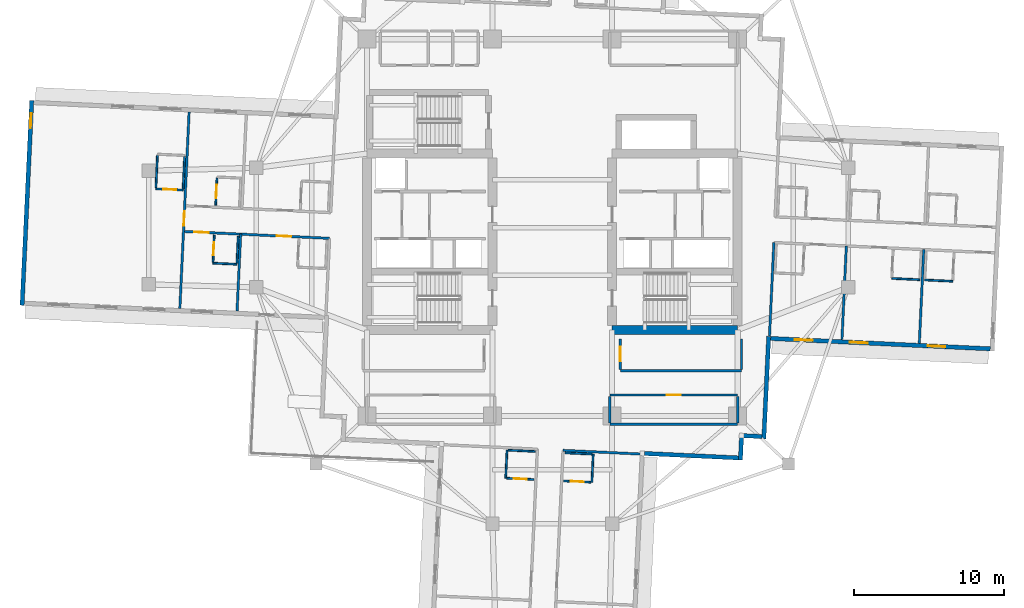
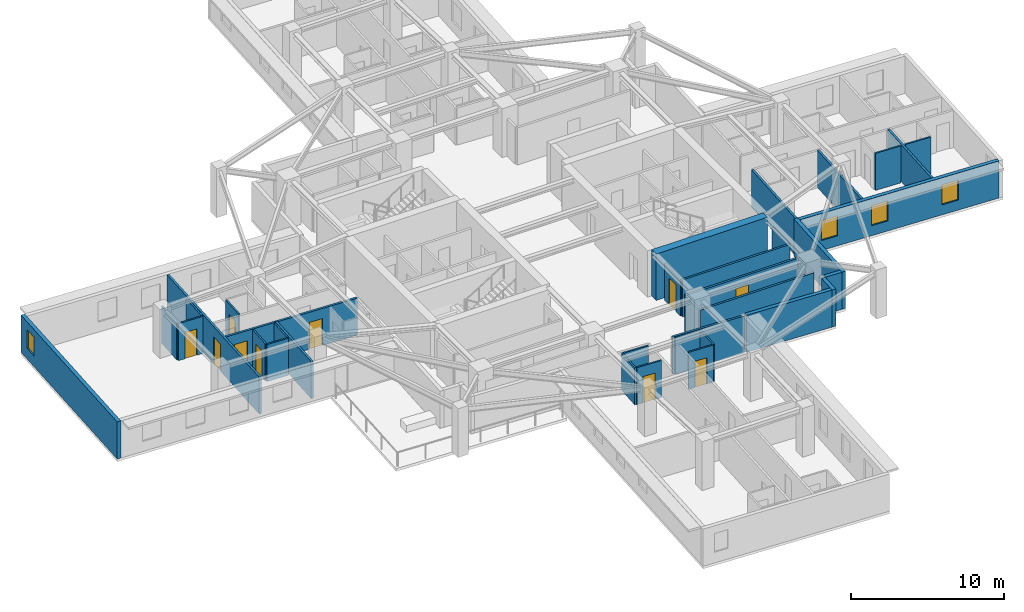
# One storey, part 4 of 14: 36 walls, 10 doors, 4 windows, 14 openings.
"""IFC4 building model written with IfcOpenShell, lengths in metres."""

from ifc_helpers import new_model, si_unit, direction, frame, frame_2d, origin, place, context, subcontext, project, spatial, rectangle, extrude, material, layer, layer_set, type_object, element, fill, save


model = new_model("IFC4")

# Units and contexts
model_context = context("Model", 3, precision=1e-05, world=origin(), true_north=direction((0.0, 1.0)))
body_context = subcontext(model_context, "Body", "Model", "MODEL_VIEW")
ifc_project = project(units=[si_unit("LENGTHUNIT", "METRE"), si_unit("AREAUNIT", "SQUARE_METRE"), si_unit("VOLUMEUNIT", "CUBIC_METRE"), si_unit("PLANEANGLEUNIT", "RADIAN"), si_unit("MASSUNIT", "GRAM", prefix="KILO")], contexts=[model_context])

# Site, building, storey
site_placement = place(None, origin())
site = spatial("IfcSite", under=ifc_project, at=site_placement, CompositionType="ELEMENT")
building_placement = place(site_placement, origin())
building = spatial("IfcBuilding", under=site, at=building_placement, Name="Qingluan Cross Belvedere", CompositionType="ELEMENT")
storey_placement = place(building_placement, frame((0.0, 0.0, 156.60009765625)))
storey = spatial("IfcBuildingStorey", under=building, at=storey_placement, Name="L39", CompositionType="ELEMENT", Elevation=156.60009765625)

# Walls
ifc_material_1 = material(Name="Concrete C60", Category="concrete")
ifc_layer_1 = layer(ifc_material_1, 0.60009765625, Name="CoreShearWall_600")
ifc_layer_set_1 = layer_set([ifc_layer_1], Name="Concrete C60")
wall_type_1 = type_object("IfcWallType", Name="CoreShearWall_600", PredefinedType="SHEAR", material=ifc_layer_set_1)
wall_1_placement = place(storey_placement, frame((4.0, -6.85009765625, 0.0), z_axis=(0.0, 0.0, 1.0), x_axis=(1.0, 0.0, 0.0)))
element("IfcWall", 1, at=wall_1_placement, inside=storey, type_object=wall_type_1, Name="Split core E shear wall L39-S", PredefinedType="SHEAR", context=body_context, shape_type="SweptSolid", body=[
    extrude(rectangle(XDim=8.39990234375, YDim=0.60009765625, at=frame_2d((4.199951171875, 0.0))), origin(), (0.0, 0.0, 1.0), 3.699951171875),
])
ifc_material_2 = material(Name="Gypsum plasterboard on steel stud acoustic partition", Category="steel")
ifc_layer_2 = layer(ifc_material_2, 0.159912109375, Name="CorridorPartition_160")
ifc_layer_set_2 = layer_set([ifc_layer_2], Name="Gypsum plasterboard on steel stud acoustic partition")
wall_type_2 = type_object("IfcWallType", Name="CorridorPartition_160", PredefinedType="PARTITIONING", material=ifc_layer_set_2)
wall_2_placement = place(storey_placement, frame((3.85009765625, -13.14990234375, 0.0), z_axis=(0.0, 0.0, 1.0), x_axis=(1.0, 0.0, 0.0)))
element("IfcWall", 2, at=wall_2_placement, inside=storey, type_object=wall_type_2, Name="Partition L39:q_se:S", PredefinedType="PARTITIONING", context=body_context, shape_type="SweptSolid", body=[
    extrude(rectangle(XDim=8.5498046875, YDim=0.159912109375, at=frame_2d((4.27490234375, 0.0))), origin(), (0.0, 0.0, 1.0), 2.9599609375),
])

# Wall, opening, door
wall_3_placement = place(storey_placement, frame((3.85009765625, -11.199951171875, 0.0), z_axis=(0.0, 0.0, 1.0), x_axis=(1.0, 0.0, 0.0)))
wall_3 = element("IfcWall", 3, at=wall_3_placement, inside=storey, type_object=wall_type_2, Name="Partition L39:q_se:N", PredefinedType="PARTITIONING", context=body_context, shape_type="SweptSolid", body=[
    extrude(rectangle(XDim=8.5498046875, YDim=0.159912109375, at=frame_2d((4.27490234375, 0.0))), origin(), (0.0, 0.0, 1.0), 2.9599609375),
])
opening_1_placement = place(wall_3_placement, frame((3.794921875, 0.0, 0.0)))
opening_1 = element("IfcOpeningElement", 4, at=opening_1_placement, cuts=wall_3, Name="Opening GD-10", PredefinedType="OPENING", context=body_context, shape_type="SweptSolid", body=[
    extrude(rectangle(XDim=0.9599609375, YDim=2.14990234375, at=frame_2d((0.47998046875, 1.074951171875))), frame((0.0, 0.08984375, 0.0), z_axis=(0.0, -1.0, 0.0), x_axis=(1.0, 0.0, 0.0)), (0.0, 0.0, 1.0), 0.179931640625),
])
ifc_material_3 = material(Name="Timber oak fire-rated acoustic guestroom door", Category="wood")
door_type_1 = type_object("IfcDoorType", Name="GuestEntryDoor_FD60", OperationType="NOTDEFINED", PredefinedType="DOOR", material=ifc_material_3)
door_1_placement = place(opening_1_placement, origin())
door_1 = element("IfcDoor", 5, at=door_1_placement, inside=storey, type_object=door_type_1, Name="Club cocktail lounge L39 door", OperationType="SINGLE_SWING_LEFT", OverallHeight=2.14990234375, OverallWidth=0.9599609375, PredefinedType="DOOR", context=body_context, shape_type="SweptSolid", body=[
    extrude(rectangle(XDim=0.9599609375, YDim=2.14990234375, at=frame_2d((0.47998046875, 1.074951171875))), frame((0.0, 0.02490234375, 0.0), z_axis=(0.0, -1.0, 0.0), x_axis=(1.0, 0.0, 0.0)), (0.0, 0.0, 1.0), 0.050048828125),
])
fill(opening_1, door_1)

# Walls
for number, where, z_axis, x_axis, name in (
    (6, (3.85009765625, -13.06494140625, 0.0), (0.0, 0.0, 1.0), (0.0, 1.0, 0.0), "Partition L39:q_se:W"),
    (7, (12.39990234375, -13.06494140625, 0.0), (0.0, 0.0, 1.0), (0.0, 1.0, 0.0), "Partition L39:q_se:E"),
):
    element("IfcWall", number, at=place(storey_placement, frame(where, z_axis=z_axis, x_axis=x_axis)), inside=storey, type_object=wall_type_2, Name=name, PredefinedType="PARTITIONING", context=body_context, shape_type="SweptSolid", body=[
        extrude(rectangle(XDim=1.780029296875, YDim=0.159912109375, at=frame_2d((0.89013671875, 0.0))), origin(), (0.0, 0.0, 1.0), 2.9599609375),
    ])
wall_4_placement = place(storey_placement, frame((4.550048828125, -9.580078125, 0.0), z_axis=(0.0, 0.0, 1.0), x_axis=(1.0, 0.0, 0.0)))
element("IfcWall", 8, at=wall_4_placement, inside=storey, type_object=wall_type_2, Name="Partition L39:rec_st4:S", PredefinedType="PARTITIONING", context=body_context, shape_type="SweptSolid", body=[
    extrude(rectangle(XDim=8.099853515625, YDim=0.159912109375, at=frame_2d((4.0498046875, 0.0))), origin(), (0.0, 0.0, 1.0), 2.9599609375),
])

# Wall, opening, door
wall_5_placement = place(storey_placement, frame((4.550048828125, -9.4951171875, 0.0), z_axis=(0.0, 0.0, 1.0), x_axis=(0.0, 1.0, 0.0)))
wall_5 = element("IfcWall", 9, at=wall_5_placement, inside=storey, type_object=wall_type_2, Name="Partition L39:rec_st4:W", PredefinedType="PARTITIONING", context=body_context, shape_type="SweptSolid", body=[
    extrude(rectangle(XDim=2.06005859375, YDim=0.159912109375, at=frame_2d((1.030029296875, 0.0))), origin(), (0.0, 0.0, 1.0), 2.9599609375),
])
opening_2_placement = place(wall_5_placement, frame((0.550048828125, 0.0, 0.0)))
opening_2 = element("IfcOpeningElement", 10, at=opening_2_placement, cuts=wall_5, Name="Opening GD-10", PredefinedType="OPENING", context=body_context, shape_type="SweptSolid", body=[
    extrude(rectangle(XDim=0.9599609375, YDim=2.14990234375, at=frame_2d((0.47998046875, 1.074951171875))), frame((0.0, 0.08984375, 0.0), z_axis=(0.0, -1.0, 0.0), x_axis=(1.0, 0.0, 0.0)), (0.0, 0.0, 1.0), 0.179931640625),
])
door_2_placement = place(opening_2_placement, origin())
door_2 = element("IfcDoor", 11, at=door_2_placement, inside=storey, type_object=door_type_1, Name="Southeast club library room L39 door", OperationType="SINGLE_SWING_RIGHT", OverallHeight=2.14990234375, OverallWidth=0.9599609375, PredefinedType="DOOR", context=body_context, shape_type="SweptSolid", body=[
    extrude(rectangle(XDim=0.9599609375, YDim=2.14990234375, at=frame_2d((0.47998046875, 1.074951171875))), frame((0.0, 0.02490234375, 0.0), z_axis=(0.0, -1.0, 0.0), x_axis=(1.0, 0.0, 0.0)), (0.0, 0.0, 1.0), 0.050048828125),
])
fill(opening_2, door_2)

# Walls
wall_6_placement = place(storey_placement, frame((12.64990234375, -9.4951171875, 0.0), z_axis=(0.0, 0.0, 1.0), x_axis=(0.0, 1.0, 0.0)))
element("IfcWall", 12, at=wall_6_placement, inside=storey, type_object=wall_type_2, Name="Partition L39:rec_st4:E", PredefinedType="PARTITIONING", context=body_context, shape_type="SweptSolid", body=[
    extrude(rectangle(XDim=2.06005859375, YDim=0.159912109375, at=frame_2d((1.030029296875, 0.0))), origin(), (0.0, 0.0, 1.0), 2.9599609375),
])
for number, where, z_axis, x_axis, name in (
    (13, (14.8193359375, -0.999267578125, 0.0), (0.0, 0.0, 1.0), (-0.047099102485, -0.998890221468, 0.0), "Partition L39:E:s1"),
    (14, (19.666015625, -1.227783203125, 0.0), (0.0, 0.0, 1.0), (-0.047099102485, -0.998890221468, 0.0), "Partition L39:E:d1_0"),
    (15, (24.84130859375, -1.4716796875, 0.0), (0.0, 0.0, 1.0), (-0.047099102485, -0.998890221468, 0.0), "Partition L39:E:d1_1"),
):
    element("IfcWall", number, at=place(storey_placement, frame(where, z_axis=z_axis, x_axis=x_axis)), inside=storey, type_object=wall_type_2, Name=name, PredefinedType="PARTITIONING", context=body_context, shape_type="SweptSolid", body=[
        extrude(rectangle(XDim=6.272216796875, YDim=0.159912109375, at=frame_2d((3.13623046875, 0.0))), origin(), (0.0, 0.0, 1.0), 2.9599609375),
    ])

# Wall, openings, doors
wall_7_placement = place(storey_placement, frame((-14.900390625, -0.718994140625, 0.0), z_axis=(0.0, 0.0, 1.0), x_axis=(-0.99888939101, 0.047116711769, 0.0)))
wall_7 = element("IfcWall", 16, at=wall_7_placement, inside=storey, type_object=wall_type_2, Name="Partition L39:W:c1", PredefinedType="PARTITIONING", context=body_context, shape_type="SweptSolid", body=[
    extrude(rectangle(XDim=9.699951171875, YDim=0.159912109375, at=frame_2d((4.85009765625, 0.0))), origin(), (0.0, 0.0, 1.0), 2.9599609375),
])
opening_3_placement = place(wall_7_placement, frame((2.574951171875, 0.0, 0.0)))
opening_3 = element("IfcOpeningElement", 17, at=opening_3_placement, cuts=wall_7, Name="Opening GD-10", PredefinedType="OPENING", context=body_context, shape_type="SweptSolid", body=[
    extrude(rectangle(XDim=0.9599609375, YDim=2.14990234375, at=frame_2d((0.47998046875, 1.074951171875))), frame((0.0, 0.08984375, 0.0), z_axis=(0.0, -1.0, 0.0), x_axis=(1.0, 0.0, 0.0)), (0.0, 0.0, 1.0), 0.179931640625),
])
opening_4_placement = place(wall_7_placement, frame((8.096923828125, 0.0, 0.0)))
opening_4 = element("IfcOpeningElement", 18, at=opening_4_placement, cuts=wall_7, Name="Opening GD-10", PredefinedType="OPENING", context=body_context, shape_type="SweptSolid", body=[
    extrude(rectangle(XDim=0.9599609375, YDim=2.14990234375, at=frame_2d((0.47998046875, 1.074951171875))), frame((0.0, 0.08984375, 0.0), z_axis=(0.0, -1.0, 0.0), x_axis=(1.0, 0.0, 0.0)), (0.0, 0.0, 1.0), 0.179931640625),
])
door_3_placement = place(opening_3_placement, origin())
door_3 = element("IfcDoor", 19, at=door_3_placement, inside=storey, type_object=door_type_1, Name="Guest entry fire door 3909", OperationType="SINGLE_SWING_RIGHT", OverallHeight=2.14990234375, OverallWidth=0.9599609375, PredefinedType="DOOR", context=body_context, shape_type="SweptSolid", body=[
    extrude(rectangle(XDim=0.9599609375, YDim=2.14990234375, at=frame_2d((0.47998046875, 1.074951171875))), frame((0.0, 0.02490234375, 0.0), z_axis=(0.0, -1.0, 0.0), x_axis=(1.0, 0.0, 0.0)), (0.0, 0.0, 1.0), 0.050048828125),
])
fill(opening_3, door_3)
door_4_placement = place(opening_4_placement, origin())
door_4 = element("IfcDoor", 20, at=door_4_placement, inside=storey, type_object=door_type_1, Name="Guest entry fire door 3910", OperationType="SINGLE_SWING_RIGHT", OverallHeight=2.14990234375, OverallWidth=0.9599609375, PredefinedType="DOOR", context=body_context, shape_type="SweptSolid", body=[
    extrude(rectangle(XDim=0.9599609375, YDim=2.14990234375, at=frame_2d((0.47998046875, 1.074951171875))), frame((0.0, 0.02490234375, 0.0), z_axis=(0.0, -1.0, 0.0), x_axis=(1.0, 0.0, 0.0)), (0.0, 0.0, 1.0), 0.050048828125),
])
fill(opening_4, door_4)

# Walls
wall_8_placement = place(storey_placement, frame((-20.84375, -0.438720703125, 0.0), z_axis=(0.0, 0.0, 1.0), x_axis=(-0.047103594553, -0.998890009651, 0.0)))
element("IfcWall", 21, at=wall_8_placement, inside=storey, type_object=wall_type_2, Name="Partition L39:W:d1_0", PredefinedType="PARTITIONING", context=body_context, shape_type="SweptSolid", body=[
    extrude(rectangle(XDim=5.15185546875, YDim=0.159912109375, at=frame_2d((2.575927734375, 0.0))), origin(), (0.0, 0.0, 1.0), 2.9599609375),
])
wall_9_placement = place(storey_placement, frame((0.718994140625, -14.900390625, 0.0), z_axis=(0.0, 0.0, 1.0), x_axis=(0.998888989288, -0.047125227635, 0.0)))
element("IfcWall", 22, at=wall_9_placement, inside=storey, type_object=wall_type_2, Name="Partition L39:S:s0", PredefinedType="PARTITIONING", context=body_context, shape_type="SweptSolid", body=[
    extrude(rectangle(XDim=5.2998046875, YDim=0.159912109375, at=frame_2d((2.64990234375, 0.0))), origin(), (0.0, 0.0, 1.0), 2.9599609375),
])

# Wall, opening, door
wall_10_placement = place(storey_placement, frame((-24.912109375, -5.404541015625, 0.0), z_axis=(0.0, 0.0, 1.0), x_axis=(0.047104484326, 0.998889967692, 0.0)))
wall_10 = element("IfcWall", 23, at=wall_10_placement, inside=storey, type_object=wall_type_2, Name="Partition L39:Wcap:in", PredefinedType="PARTITIONING", context=body_context, shape_type="SweptSolid", body=[
    extrude(rectangle(XDim=13.14404296875, YDim=0.159912109375, at=frame_2d((6.572021484375, 0.0))), origin(), (0.0, 0.0, 1.0), 2.9599609375),
])
opening_5_placement = place(wall_10_placement, frame((5.531982421875, 0.0, 0.0)))
opening_5 = element("IfcOpeningElement", 24, at=opening_5_placement, cuts=wall_10, Name="Opening GD-10", PredefinedType="OPENING", context=body_context, shape_type="SweptSolid", body=[
    extrude(rectangle(XDim=0.9599609375, YDim=2.14990234375, at=frame_2d((0.47998046875, 1.074951171875))), frame((0.0, 0.08984375, 0.0), z_axis=(0.0, -1.0, 0.0), x_axis=(1.0, 0.0, 0.0)), (0.0, 0.0, 1.0), 0.179931640625),
])
door_5_placement = place(opening_5_placement, origin())
door_5 = element("IfcDoor", 25, at=door_5_placement, inside=storey, type_object=door_type_1, Name="Presidential suite entrance door L39W", OperationType="SINGLE_SWING_LEFT", OverallHeight=2.14990234375, OverallWidth=0.9599609375, PredefinedType="DOOR", context=body_context, shape_type="SweptSolid", body=[
    extrude(rectangle(XDim=0.9599609375, YDim=2.14990234375, at=frame_2d((0.47998046875, 1.074951171875))), frame((0.0, 0.02490234375, 0.0), z_axis=(0.0, -1.0, 0.0), x_axis=(1.0, 0.0, 0.0)), (0.0, 0.0, 1.0), 0.050048828125),
])
fill(opening_5, door_5)

# Walls
ifc_material_4 = material(Name="Moisture-resistant gypsum board lining")
ifc_layer_3 = layer(ifc_material_4, 0.1201171875, Name="EnsuiteWetPartition_120")
ifc_layer_set_3 = layer_set([ifc_layer_3], Name="Moisture-resistant gypsum board lining")
wall_type_3 = type_object("IfcWallType", Name="EnsuiteWetPartition_120", PredefinedType="PARTITIONING", material=ifc_layer_set_3)
for number, where, z_axis, x_axis, name in (
    (26, (22.7080078125, -3.3984375, 0.0), (0.0, 0.0, 1.0), (0.998888319371, -0.047139425368, 0.0), "Partition L39:E:bc1_1"),
    (27, (24.90576171875, -3.502197265625, 0.0), (0.0, 0.0, 1.0), (0.998888319371, -0.047139425368, 0.0), "Partition L39:E:bc1_2"),
):
    element("IfcWall", number, at=place(storey_placement, frame(where, z_axis=z_axis, x_axis=x_axis)), inside=storey, type_object=wall_type_3, Name=name, PredefinedType="PARTITIONING", context=body_context, shape_type="SweptSolid", body=[
        extrude(rectangle(XDim=1.880126953125, YDim=0.1201171875, at=frame_2d((0.93994140625, 0.0))), origin(), (0.0, 0.0, 1.0), 2.9599609375),
    ])

# Wall, opening, door
wall_11_placement = place(storey_placement, frame((-22.51416015625, 1.502197265625, 0.0), z_axis=(0.0, 0.0, 1.0), x_axis=(0.047080807099, 0.998891083954, 0.0)))
wall_11 = element("IfcWall", 28, at=wall_11_placement, inside=storey, type_object=wall_type_3, Name="Partition L39:W:bs0_1", PredefinedType="PARTITIONING", context=body_context, shape_type="SweptSolid", body=[
    extrude(rectangle(XDim=1.820068359375, YDim=0.1201171875, at=frame_2d((0.91015625, 0.0))), origin(), (0.0, 0.0, 1.0), 2.9599609375),
])
opening_6_placement = place(wall_11_placement, frame((0.469970703125, 0.0, 0.0)))
opening_6 = element("IfcOpeningElement", 29, at=opening_6_placement, cuts=wall_11, Name="Opening BD-09", PredefinedType="OPENING", context=body_context, shape_type="SweptSolid", body=[
    extrude(rectangle(XDim=0.8798828125, YDim=2.10009765625, at=frame_2d((0.43994140625, 1.050048828125))), frame((0.0, 0.070068359375, 0.0), z_axis=(0.0, -1.0, 0.0), x_axis=(1.0, 0.0, 0.0)), (0.0, 0.0, 1.0), 0.14013671875),
])
ifc_material_5 = material(Name="Moisture-sealed timber en-suite door", Category="wood")
door_type_2 = type_object("IfcDoorType", Name="BathroomDoor_880", OperationType="NOTDEFINED", PredefinedType="DOOR", material=ifc_material_5)
door_6_placement = place(opening_6_placement, origin())
door_6 = element("IfcDoor", 30, at=door_6_placement, inside=storey, type_object=door_type_2, Name="Bathroom door 3908", OperationType="SINGLE_SWING_LEFT", OverallHeight=2.10009765625, OverallWidth=0.8798828125, PredefinedType="DOOR", context=body_context, shape_type="SweptSolid", body=[
    extrude(rectangle(XDim=0.8798828125, YDim=2.10009765625, at=frame_2d((0.43994140625, 1.050048828125))), frame((0.0, 0.02490234375, 0.0), z_axis=(0.0, -1.0, 0.0), x_axis=(1.0, 0.0, 0.0)), (0.0, 0.0, 1.0), 0.050048828125),
])
fill(opening_6, door_6)

wall_12_placement = place(storey_placement, frame((-22.694091796875, -2.3134765625, 0.0), z_axis=(0.0, 0.0, 1.0), x_axis=(0.047087116047, 0.998890786574, 0.0)))
wall_12 = element("IfcWall", 31, at=wall_12_placement, inside=storey, type_object=wall_type_3, Name="Partition L39:W:bs1_1", PredefinedType="PARTITIONING", context=body_context, shape_type="SweptSolid", body=[
    extrude(rectangle(XDim=1.81982421875, YDim=0.1201171875, at=frame_2d((0.909912109375, 0.0))), origin(), (0.0, 0.0, 1.0), 2.9599609375),
])
opening_7_placement = place(wall_12_placement, frame((0.469970703125, 0.0, 0.0)))
opening_7 = element("IfcOpeningElement", 32, at=opening_7_placement, cuts=wall_12, Name="Opening BD-09", PredefinedType="OPENING", context=body_context, shape_type="SweptSolid", body=[
    extrude(rectangle(XDim=0.8798828125, YDim=2.10009765625, at=frame_2d((0.43994140625, 1.050048828125))), frame((0.0, 0.070068359375, 0.0), z_axis=(0.0, -1.0, 0.0), x_axis=(1.0, 0.0, 0.0)), (0.0, 0.0, 1.0), 0.14013671875),
])
door_7_placement = place(opening_7_placement, origin())
door_7 = element("IfcDoor", 33, at=door_7_placement, inside=storey, type_object=door_type_2, Name="Bathroom door 3910", OperationType="SINGLE_SWING_LEFT", OverallHeight=2.10009765625, OverallWidth=0.8798828125, PredefinedType="DOOR", context=body_context, shape_type="SweptSolid", body=[
    extrude(rectangle(XDim=0.8798828125, YDim=2.10009765625, at=frame_2d((0.43994140625, 1.050048828125))), frame((0.0, 0.02490234375, 0.0), z_axis=(0.0, -1.0, 0.0), x_axis=(1.0, 0.0, 0.0)), (0.0, 0.0, 1.0), 0.050048828125),
])
fill(opening_7, door_7)

# Walls
wall_13_placement = place(storey_placement, frame((-21.095947265625, -2.388916015625, 0.0), z_axis=(0.0, 0.0, 1.0), x_axis=(0.047080807099, 0.998891083954, 0.0)))
element("IfcWall", 34, at=wall_13_placement, inside=storey, type_object=wall_type_3, Name="Partition L39:W:bw1_1", PredefinedType="PARTITIONING", context=body_context, shape_type="SweptSolid", body=[
    extrude(rectangle(XDim=1.820068359375, YDim=0.1201171875, at=frame_2d((0.91015625, 0.0))), origin(), (0.0, 0.0, 1.0), 2.9599609375),
])
wall_14_placement = place(storey_placement, frame((-21.09912109375, -2.453857421875, 0.0), z_axis=(0.0, 0.0, 1.0), x_axis=(-0.998887730798, 0.047151895633, 0.0)))
element("IfcWall", 35, at=wall_14_placement, inside=storey, type_object=wall_type_3, Name="Partition L39:W:bc1_1", PredefinedType="PARTITIONING", context=body_context, shape_type="SweptSolid", body=[
    extrude(rectangle(XDim=1.599853515625, YDim=0.1201171875, at=frame_2d((0.7998046875, 0.0))), origin(), (0.0, 0.0, 1.0), 2.9599609375),
])

# Wall, opening, door
wall_15_placement = place(storey_placement, frame((0.7626953125, -16.944580078125, 0.0), z_axis=(0.0, 0.0, 1.0), x_axis=(0.998884467853, -0.047220968666, 0.0)))
wall_15 = element("IfcWall", 36, at=wall_15_placement, inside=storey, type_object=wall_type_3, Name="Partition L39:S:bs0_0", PredefinedType="PARTITIONING", context=body_context, shape_type="SweptSolid", body=[
    extrude(rectangle(XDim=1.81982421875, YDim=0.1201171875, at=frame_2d((0.909912109375, 0.0))), origin(), (0.0, 0.0, 1.0), 2.9599609375),
])
opening_8_placement = place(wall_15_placement, frame((0.469970703125, 0.0, 0.0)))
opening_8 = element("IfcOpeningElement", 37, at=opening_8_placement, cuts=wall_15, Name="Opening BD-09", PredefinedType="OPENING", context=body_context, shape_type="SweptSolid", body=[
    extrude(rectangle(XDim=0.8798828125, YDim=2.10009765625, at=frame_2d((0.43994140625, 1.050048828125))), frame((0.0, 0.070068359375, 0.0), z_axis=(0.0, -1.0, 0.0), x_axis=(1.0, 0.0, 0.0)), (0.0, 0.0, 1.0), 0.14013671875),
])
door_8_placement = place(opening_8_placement, origin())
door_8 = element("IfcDoor", 38, at=door_8_placement, inside=storey, type_object=door_type_2, Name="Bathroom door 3917", OperationType="SINGLE_SWING_LEFT", OverallHeight=2.10009765625, OverallWidth=0.8798828125, PredefinedType="DOOR", context=body_context, shape_type="SweptSolid", body=[
    extrude(rectangle(XDim=0.8798828125, YDim=2.10009765625, at=frame_2d((0.43994140625, 1.050048828125))), frame((0.0, 0.02490234375, 0.0), z_axis=(0.0, -1.0, 0.0), x_axis=(1.0, 0.0, 0.0)), (0.0, 0.0, 1.0), 0.050048828125),
])
fill(opening_8, door_8)

# Walls
wall_16_placement = place(storey_placement, frame((0.851318359375, -15.06689453125, 0.0), z_axis=(0.0, 0.0, 1.0), x_axis=(0.998890786574, -0.047087116047, 0.0)))
element("IfcWall", 39, at=wall_16_placement, inside=storey, type_object=wall_type_3, Name="Partition L39:S:bw0_0", PredefinedType="PARTITIONING", context=body_context, shape_type="SweptSolid", body=[
    extrude(rectangle(XDim=1.81982421875, YDim=0.1201171875, at=frame_2d((0.909912109375, 0.0))), origin(), (0.0, 0.0, 1.0), 2.9599609375),
])
wall_17_placement = place(storey_placement, frame((2.734130859375, -15.155517578125, 0.0), z_axis=(0.0, 0.0, 1.0), x_axis=(-0.047139425368, -0.998888319371, 0.0)))
element("IfcWall", 40, at=wall_17_placement, inside=storey, type_object=wall_type_3, Name="Partition L39:S:bn0_0", PredefinedType="PARTITIONING", context=body_context, shape_type="SweptSolid", body=[
    extrude(rectangle(XDim=1.880126953125, YDim=0.1201171875, at=frame_2d((0.93994140625, 0.0))), origin(), (0.0, 0.0, 1.0), 2.9599609375),
])

# Wall, opening, door
wall_18_placement = place(storey_placement, frame((-3.052978515625, -16.764892578125, 0.0), z_axis=(0.0, 0.0, 1.0), x_axis=(0.998890786574, -0.047087116047, 0.0)))
wall_18 = element("IfcWall", 41, at=wall_18_placement, inside=storey, type_object=wall_type_3, Name="Partition L39:S:bs1_0", PredefinedType="PARTITIONING", context=body_context, shape_type="SweptSolid", body=[
    extrude(rectangle(XDim=1.81982421875, YDim=0.1201171875, at=frame_2d((0.909912109375, 0.0))), origin(), (0.0, 0.0, 1.0), 2.9599609375),
])
opening_9_placement = place(wall_18_placement, frame((0.469970703125, 0.0, 0.0)))
opening_9 = element("IfcOpeningElement", 42, at=opening_9_placement, cuts=wall_18, Name="Opening BD-09", PredefinedType="OPENING", context=body_context, shape_type="SweptSolid", body=[
    extrude(rectangle(XDim=0.8798828125, YDim=2.10009765625, at=frame_2d((0.43994140625, 1.050048828125))), frame((0.0, 0.070068359375, 0.0), z_axis=(0.0, -1.0, 0.0), x_axis=(1.0, 0.0, 0.0)), (0.0, 0.0, 1.0), 0.14013671875),
])
door_9_placement = place(opening_9_placement, origin())
door_9 = element("IfcDoor", 43, at=door_9_placement, inside=storey, type_object=door_type_2, Name="Bathroom door 3919", OperationType="SINGLE_SWING_LEFT", OverallHeight=2.10009765625, OverallWidth=0.8798828125, PredefinedType="DOOR", context=body_context, shape_type="SweptSolid", body=[
    extrude(rectangle(XDim=0.8798828125, YDim=2.10009765625, at=frame_2d((0.43994140625, 1.050048828125))), frame((0.0, 0.02490234375, 0.0), z_axis=(0.0, -1.0, 0.0), x_axis=(1.0, 0.0, 0.0)), (0.0, 0.0, 1.0), 0.050048828125),
])
fill(opening_9, door_9)

# Walls
wall_19_placement = place(storey_placement, frame((-2.964599609375, -14.886962890625, 0.0), z_axis=(0.0, 0.0, 1.0), x_axis=(0.998891083954, -0.047080807099, 0.0)))
element("IfcWall", 44, at=wall_19_placement, inside=storey, type_object=wall_type_3, Name="Partition L39:S:bw1_0", PredefinedType="PARTITIONING", context=body_context, shape_type="SweptSolid", body=[
    extrude(rectangle(XDim=1.820068359375, YDim=0.1201171875, at=frame_2d((0.91015625, 0.0))), origin(), (0.0, 0.0, 1.0), 2.9599609375),
])
wall_20_placement = place(storey_placement, frame((-3.029541015625, -14.8837890625, 0.0), z_axis=(0.0, 0.0, 1.0), x_axis=(-0.04700985207, -0.998894425757, 0.0)))
element("IfcWall", 45, at=wall_20_placement, inside=storey, type_object=wall_type_3, Name="Partition L39:S:bc1_0", PredefinedType="PARTITIONING", context=body_context, shape_type="SweptSolid", body=[
    extrude(rectangle(XDim=1.880126953125, YDim=0.1201171875, at=frame_2d((0.93994140625, 0.0))), origin(), (0.0, 0.0, 1.0), 2.9599609375),
])
for number, where, z_axis, x_axis, name in (
    (46, (-24.696044921875, 2.576171875, 0.0), (0.0, 0.0, 1.0), (0.047033094092, 0.998893331673, 0.0), "Partition L39:Wcap:ba"),
    (47, (-26.513916015625, 2.661865234375, 0.0), (0.0, 0.0, 1.0), (0.047033094092, 0.998893331673, 0.0), "Partition L39:Wcap:bb"),
):
    element("IfcWall", number, at=place(storey_placement, frame(where, z_axis=z_axis, x_axis=x_axis)), inside=storey, type_object=wall_type_3, Name=name, PredefinedType="PARTITIONING", context=body_context, shape_type="SweptSolid", body=[
        extrude(rectangle(XDim=2.18017578125, YDim=0.1201171875, at=frame_2d((1.090087890625, 0.0))), origin(), (0.0, 0.0, 1.0), 2.9599609375),
    ])

# Wall, opening, door
wall_21_placement = place(storey_placement, frame((-24.699462890625, 2.50634765625, 0.0), z_axis=(0.0, 0.0, 1.0), x_axis=(-0.998890786574, 0.047087116047, 0.0)))
wall_21 = element("IfcWall", 48, at=wall_21_placement, inside=storey, type_object=wall_type_3, Name="Partition L39:Wcap:bs", PredefinedType="PARTITIONING", context=body_context, shape_type="SweptSolid", body=[
    extrude(rectangle(XDim=1.81982421875, YDim=0.1201171875, at=frame_2d((0.909912109375, 0.0))), origin(), (0.0, 0.0, 1.0), 2.9599609375),
])
opening_10_placement = place(wall_21_placement, frame((0.449951171875, 0.0, 0.0)))
opening_10 = element("IfcOpeningElement", 49, at=opening_10_placement, cuts=wall_21, Name="Opening BD-09", PredefinedType="OPENING", context=body_context, shape_type="SweptSolid", body=[
    extrude(rectangle(XDim=0.8798828125, YDim=2.10009765625, at=frame_2d((0.43994140625, 1.050048828125))), frame((0.0, 0.070068359375, 0.0), z_axis=(0.0, -1.0, 0.0), x_axis=(1.0, 0.0, 0.0)), (0.0, 0.0, 1.0), 0.14013671875),
])
door_10_placement = place(opening_10_placement, origin())
door_10 = element("IfcDoor", 50, at=door_10_placement, inside=storey, type_object=door_type_2, Name="En-suite bathroom door L39W", OperationType="SINGLE_SWING_RIGHT", OverallHeight=2.10009765625, OverallWidth=0.8798828125, PredefinedType="DOOR", context=body_context, shape_type="SweptSolid", body=[
    extrude(rectangle(XDim=0.8798828125, YDim=2.10009765625, at=frame_2d((0.43994140625, 1.050048828125))), frame((0.0, 0.02490234375, 0.0), z_axis=(0.0, -1.0, 0.0), x_axis=(1.0, 0.0, 0.0)), (0.0, 0.0, 1.0), 0.050048828125),
])
fill(opening_10, door_10)

# Wall, openings, windows
ifc_material_6 = material(Name="Precast concrete C45", Category="concrete")
ifc_layer_4 = layer(ifc_material_6, 0.280029296875, Name="PrecastFacadeWall_280")
ifc_layer_set_4 = layer_set([ifc_layer_4], Name="Precast concrete C45")
wall_type_4 = type_object("IfcWallType", Name="PrecastFacadeWall_280", PredefinedType="STANDARD", material=ifc_layer_set_4)
wall_22_placement = place(storey_placement, frame((14.60693359375, -7.416259765625, 0.0), z_axis=(0.0, 0.0, 1.0), x_axis=(0.998889342735, -0.047117735191, 0.0)))
wall_22 = element("IfcWall", 51, at=wall_22_placement, inside=storey, type_object=wall_type_4, Name="Facade wall L39-EA", PredefinedType="STANDARD", context=body_context, shape_type="SweptSolid", body=[
    extrude(rectangle(XDim=14.699951171875, YDim=0.280029296875, at=frame_2d((7.35009765625, 0.0))), origin(), (0.0, 0.0, 1.0), 2.969970703125),
])
opening_11_placement = place(wall_22_placement, frame((1.60009765625, 0.0, 0.800048828125)))
opening_11 = element("IfcOpeningElement", 52, at=opening_11_placement, cuts=wall_22, Name="Opening W-02", PredefinedType="OPENING", context=body_context, shape_type="SweptSolid", body=[
    extrude(rectangle(XDim=1.199951171875, YDim=1.60009765625, at=frame_2d((0.60009765625, 0.800048828125))), frame((0.0, 0.14990234375, 0.0), z_axis=(0.0, -1.0, 0.0), x_axis=(1.0, 0.0, 0.0)), (0.0, 0.0, 1.0), 0.300048828125),
])
opening_12_placement = place(wall_22_placement, frame((5.300048828125, 0.0, 0.800048828125)))
opening_12 = element("IfcOpeningElement", 53, at=opening_12_placement, cuts=wall_22, Name="Opening W-02", PredefinedType="OPENING", context=body_context, shape_type="SweptSolid", body=[
    extrude(rectangle(XDim=1.199951171875, YDim=1.60009765625, at=frame_2d((0.60009765625, 0.800048828125))), frame((0.0, 0.14990234375, 0.0), z_axis=(0.0, -1.0, 0.0), x_axis=(1.0, 0.0, 0.0)), (0.0, 0.0, 1.0), 0.300048828125),
])
opening_13_placement = place(wall_22_placement, frame((10.5, 0.0, 0.800048828125)))
opening_13 = element("IfcOpeningElement", 54, at=opening_13_placement, cuts=wall_22, Name="Opening W-02", PredefinedType="OPENING", context=body_context, shape_type="SweptSolid", body=[
    extrude(rectangle(XDim=1.199951171875, YDim=1.60009765625, at=frame_2d((0.60009765625, 0.800048828125))), frame((0.0, 0.14990234375, 0.0), z_axis=(0.0, -1.0, 0.0), x_axis=(1.0, 0.0, 0.0)), (0.0, 0.0, 1.0), 0.300048828125),
])
ifc_material_7 = material(Name="Thermally broken triple Low-E glass in aluminium frame", Category="aluminium")
window_type_1 = type_object("IfcWindowType", Name="TriRibbonWin_1200x1600", PartitioningType="SINGLE_PANEL", PredefinedType="WINDOW", material=ifc_material_7)
window_1_placement = place(opening_11_placement, origin())
window_1 = element("IfcWindow", 55, at=window_1_placement, inside=storey, type_object=window_type_1, Name="Ribbon window L39-EA-1", OverallHeight=1.60009765625, OverallWidth=1.199951171875, PartitioningType="SINGLE_PANEL", PredefinedType="WINDOW", context=body_context, shape_type="SweptSolid", body=[
    extrude(rectangle(XDim=1.199951171875, YDim=1.60009765625, at=frame_2d((0.60009765625, 0.800048828125))), frame((0.0, 0.030029296875, 0.0), z_axis=(0.0, -1.0, 0.0), x_axis=(1.0, 0.0, 0.0)), (0.0, 0.0, 1.0), 0.06005859375),
])
fill(opening_11, window_1)
window_2_placement = place(opening_12_placement, origin())
window_2 = element("IfcWindow", 56, at=window_2_placement, inside=storey, type_object=window_type_1, Name="Ribbon window L39-EA-2", OverallHeight=1.60009765625, OverallWidth=1.199951171875, PartitioningType="SINGLE_PANEL", PredefinedType="WINDOW", context=body_context, shape_type="SweptSolid", body=[
    extrude(rectangle(XDim=1.199951171875, YDim=1.60009765625, at=frame_2d((0.60009765625, 0.800048828125))), frame((0.0, 0.030029296875, 0.0), z_axis=(0.0, -1.0, 0.0), x_axis=(1.0, 0.0, 0.0)), (0.0, 0.0, 1.0), 0.06005859375),
])
fill(opening_12, window_2)
window_3_placement = place(opening_13_placement, origin())
window_3 = element("IfcWindow", 57, at=window_3_placement, inside=storey, type_object=window_type_1, Name="Ribbon window L39-EA-3", OverallHeight=1.60009765625, OverallWidth=1.199951171875, PartitioningType="SINGLE_PANEL", PredefinedType="WINDOW", context=body_context, shape_type="SweptSolid", body=[
    extrude(rectangle(XDim=1.199951171875, YDim=1.60009765625, at=frame_2d((0.60009765625, 0.800048828125))), frame((0.0, 0.030029296875, 0.0), z_axis=(0.0, -1.0, 0.0), x_axis=(1.0, 0.0, 0.0)), (0.0, 0.0, 1.0), 0.06005859375),
])
fill(opening_13, window_3)

# Wall, opening, window
wall_23_placement = place(storey_placement, frame((-34.81787109375, 8.509521484375, 0.0), z_axis=(0.0, 0.0, 1.0), x_axis=(-0.047101845086, -0.998890092147, 0.0)))
wall_23 = element("IfcWall", 58, at=wall_23_placement, inside=storey, type_object=wall_type_4, Name="Arm tip precast facade wall L39-W", PredefinedType="STANDARD", context=body_context, shape_type="SweptSolid", body=[
    extrude(rectangle(XDim=13.719970703125, YDim=0.280029296875, at=frame_2d((6.85986328125, 0.0))), origin(), (0.0, 0.0, 1.0), 2.969970703125),
])
opening_14_placement = place(wall_23_placement, frame((0.85009765625, 0.0, 0.85009765625)))
opening_14 = element("IfcOpeningElement", 59, at=opening_14_placement, cuts=wall_23, Name="Opening W-03", PredefinedType="OPENING", context=body_context, shape_type="SweptSolid", body=[
    extrude(rectangle(XDim=1.0, YDim=1.5, at=frame_2d((0.5, 0.75))), frame((0.0, 0.14990234375, 0.0), z_axis=(0.0, -1.0, 0.0), x_axis=(1.0, 0.0, 0.0)), (0.0, 0.0, 1.0), 0.300048828125),
])
ifc_material_8 = material(Name="Thermally broken triple Low-E glass in aluminium frame", Category="aluminium")
window_type_2 = type_object("IfcWindowType", Name="TriApexWin_1000x1500", PartitioningType="SINGLE_PANEL", PredefinedType="WINDOW", material=ifc_material_8)
window_4_placement = place(opening_14_placement, origin())
window_4 = element("IfcWindow", 60, at=window_4_placement, inside=storey, type_object=window_type_2, Name="Arm tip triangular window L39-W", OverallHeight=1.5, OverallWidth=1.0, PartitioningType="SINGLE_PANEL", PredefinedType="WINDOW", context=body_context, shape_type="SweptSolid", body=[
    extrude(rectangle(XDim=1.0, YDim=1.5, at=frame_2d((0.5, 0.75))), frame((0.0, 0.030029296875, 0.0), z_axis=(0.0, -1.0, 0.0), x_axis=(1.0, 0.0, 0.0)), (0.0, 0.0, 1.0), 0.06005859375),
])
fill(opening_14, window_4)

# Walls
wall_24_placement = place(storey_placement, frame((14.4736328125, -7.27001953125, 0.0), z_axis=(0.0, 0.0, 1.0), x_axis=(-0.04712043756, -0.998889215261, 0.0)))
element("IfcWall", 61, at=wall_24_placement, inside=storey, type_object=wall_type_4, Name="Corner wall L39-SE1", PredefinedType="STANDARD", context=body_context, shape_type="SweptSolid", body=[
    extrude(rectangle(XDim=6.85986328125, YDim=0.280029296875, at=frame_2d((3.429931640625, 0.0))), origin(), (0.0, 0.0, 1.0), 2.969970703125),
])
wall_25_placement = place(storey_placement, frame((14.01708984375, -13.975830078125, 0.0), z_axis=(0.0, 0.0, 1.0), x_axis=(-0.998883930236, 0.047232339719, 0.0)))
element("IfcWall", 62, at=wall_25_placement, inside=storey, type_object=wall_type_4, Name="Corner wall L39-SE2", PredefinedType="STANDARD", context=body_context, shape_type="SweptSolid", body=[
    extrude(rectangle(XDim=1.219970703125, YDim=0.280029296875, at=frame_2d((0.60986328125, 0.0))), origin(), (0.0, 0.0, 1.0), 2.969970703125),
])
wall_26_placement = place(storey_placement, frame((12.652099609375, -14.051513671875, 0.0), z_axis=(0.0, 0.0, 1.0), x_axis=(-0.047039284441, -0.99889304018, 0.0)))
element("IfcWall", 63, at=wall_26_placement, inside=storey, type_object=wall_type_4, Name="Corner wall L39-SE3", PredefinedType="STANDARD", context=body_context, shape_type="SweptSolid", body=[
    extrude(rectangle(XDim=1.5, YDim=0.280029296875, at=frame_2d((0.75, 0.0))), origin(), (0.0, 0.0, 1.0), 2.969970703125),
])
wall_27_placement = place(storey_placement, frame((12.4482421875, -15.403564453125, 0.0), z_axis=(0.0, 0.0, 1.0), x_axis=(-0.998889082162, 0.047123258997, 0.0)))
element("IfcWall", 64, at=wall_27_placement, inside=storey, type_object=wall_type_4, Name="Corner wall L39-SE4", PredefinedType="STANDARD", context=body_context, shape_type="SweptSolid", body=[
    extrude(rectangle(XDim=6.300048828125, YDim=0.280029296875, at=frame_2d((3.14990234375, 0.0))), origin(), (0.0, 0.0, 1.0), 2.969970703125),
])

save(model, "model.ifc")
